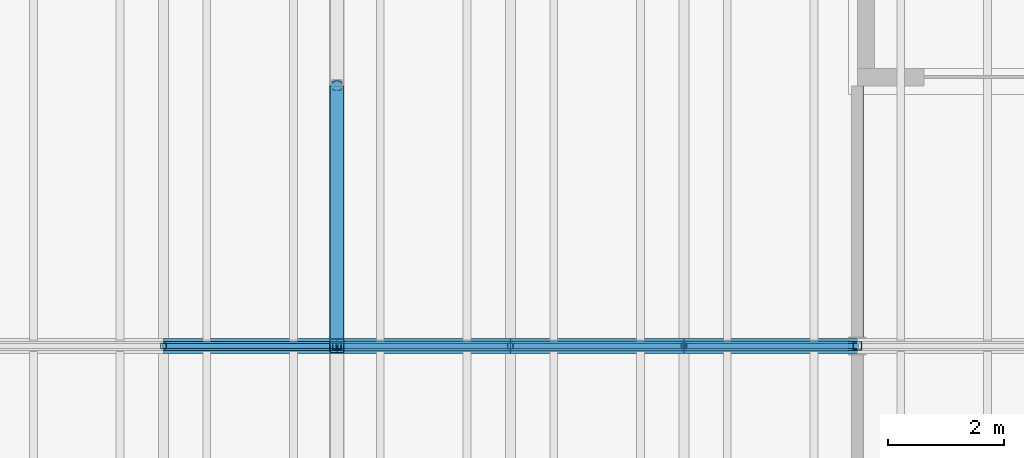
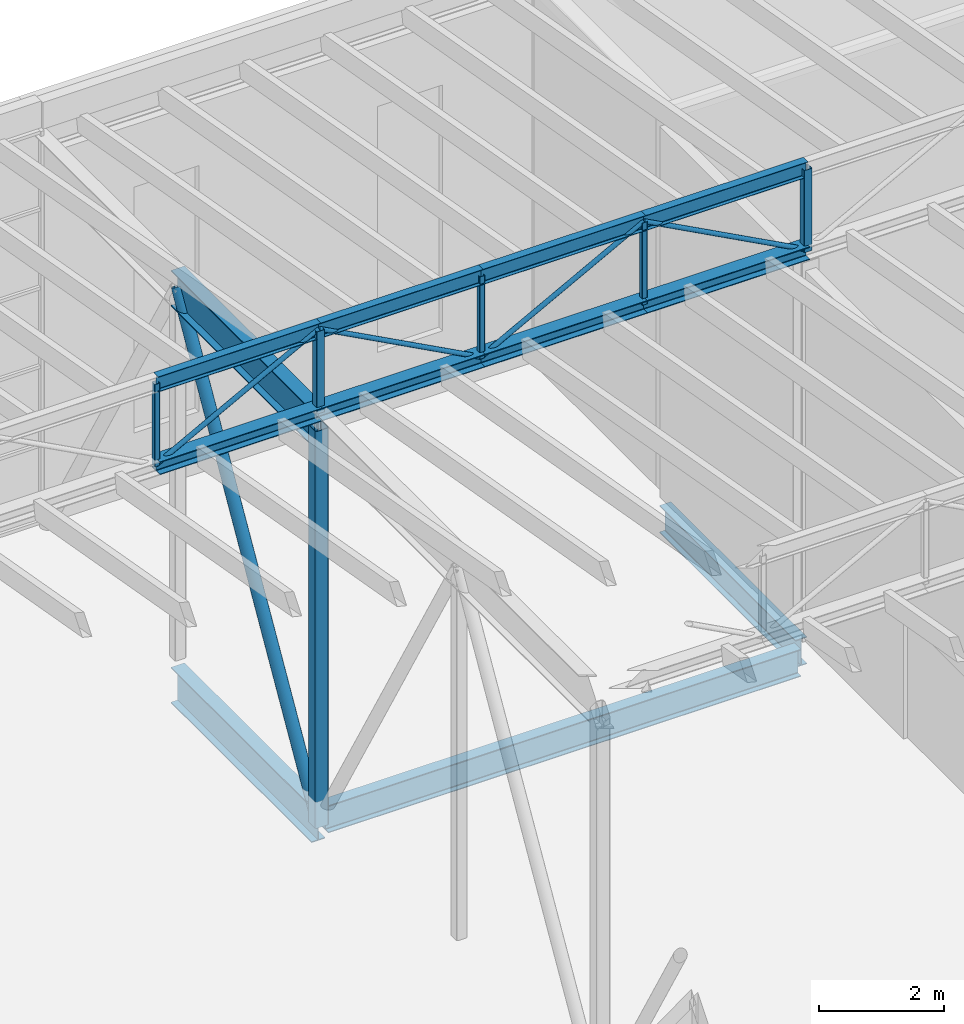
# One storey, part 44 of 90: 21 members, 2 beams.
"""IFC4 building model written with IfcOpenShell, lengths in metres."""

from ifc_helpers import new_model, si_unit, direction, frame, origin, origin_2d, place, context, subcontext, project, spatial, hollow_rectangle, hollow_circle, i_section, extrude, material, material_profile, profile_set, type_object, element, save


model = new_model("IFC4")

# Units and contexts
model_context = context("Model", 3, precision=1e-05, world=origin(), true_north=direction((0.0, 1.0)))
body_context = subcontext(model_context, "Body", "Model", "MODEL_VIEW")
ifc_project = project(units=[si_unit("LENGTHUNIT", "METRE"), si_unit("AREAUNIT", "SQUARE_METRE"), si_unit("VOLUMEUNIT", "CUBIC_METRE"), si_unit("PLANEANGLEUNIT", "RADIAN"), si_unit("MASSUNIT", "GRAM", prefix="KILO")], contexts=[model_context])

# Site, building, storey
site_placement = place(None, origin())
site = spatial("IfcSite", under=ifc_project, at=site_placement, CompositionType="ELEMENT")
building_placement = place(site_placement, origin())
building = spatial("IfcBuilding", under=site, at=building_placement, Name="Halyard Row Museum", CompositionType="ELEMENT")
storey_placement = place(building_placement, frame((0.0, 0.0, 13.39990234375)))
storey = spatial("IfcBuildingStorey", under=building, at=storey_placement, Name="L03", CompositionType="ELEMENT", Elevation=13.39990234375)

# Beams
ifc_material_1 = material(Name="Steel Grade 300", Category="steel")
ifc_material_profile_1 = material_profile(ifc_material_1, i_section(OverallWidth=0.208984375, OverallDepth=0.532958984375, WebThickness=0.01025390625, FlangeThickness=0.015625, FilletRadius=0.013916015625, at=origin_2d()), Name="530UB92.4")
ifc_profile_set_1 = profile_set([ifc_material_profile_1], Name="Steel Grade 300")
beam_type = type_object("IfcBeamType", Name="Girder beam 530UB92.4", PredefinedType="BEAM", material=ifc_profile_set_1)
beam_1_placement = place(storey_placement, frame((54.125, 36.0, -0.431396484375), z_axis=(1.0, 0.0, 0.0), x_axis=(0.0, 1.0, 0.0)))
element("IfcBeam", 1, at=beam_1_placement, inside=storey, type_object=beam_type, Name="Beam L03-030", PredefinedType="BEAM", context=body_context, shape_type="SweptSolid", body=[
    extrude(i_section(OverallWidth=0.208984375, OverallDepth=0.532958984375, WebThickness=0.01025390625, FlangeThickness=0.015625, FilletRadius=0.013916015625, at=origin_2d()), origin(), (0.0, 0.0, 1.0), 8.722412109375),
])
beam_2_placement = place(storey_placement, frame((63.0, 36.154052734375, -0.431396484375), z_axis=(0.0, 1.0, 0.0), x_axis=(-1.0, 0.0, 0.0)))
element("IfcBeam", 2, at=beam_2_placement, inside=storey, type_object=beam_type, Name="Beam L03-051", PredefinedType="BEAM", context=body_context, shape_type="SweptSolid", body=[
    extrude(i_section(OverallWidth=0.208984375, OverallDepth=0.532958984375, WebThickness=0.01025390625, FlangeThickness=0.015625, FilletRadius=0.013916015625, at=origin_2d()), origin(), (0.0, 0.0, 1.0), 4.345947265625),
])

# Members
ifc_material_2 = material(Name="Steel Grade 300", Category="steel")
ifc_material_profile_2 = material_profile(ifc_material_2, i_section(OverallWidth=0.25, OverallDepth=0.699951171875, WebThickness=0.010009765625, FlangeThickness=0.02001953125, at=origin_2d()), Name="700WB130")
ifc_profile_set_2 = profile_set([ifc_material_profile_2], Name="Steel Grade 300")
member_type_1 = type_object("IfcMemberType", Name="Transfer truss chord 700WB130 bottom", PredefinedType="CHORD", material=ifc_profile_set_2)
member_1_placement = place(storey_placement, frame((54.0, 36.0, -0.514892578125), z_axis=(0.0, 1.0, 0.0), x_axis=(-1.0, 0.0, 0.0)))
element("IfcMember", 3, at=member_1_placement, inside=storey, type_object=member_type_1, Name="TT2 bottom chord 9", PredefinedType="CHORD", context=body_context, shape_type="SweptSolid", body=[
    extrude(i_section(OverallWidth=0.25, OverallDepth=0.699951171875, WebThickness=0.010009765625, FlangeThickness=0.02001953125, at=origin_2d()), origin(), (0.0, 0.0, 1.0), 4.5),
])
ifc_material_3 = material(Name="Steel Grade 300", Category="steel")
ifc_material_profile_3 = material_profile(ifc_material_3, i_section(OverallWidth=0.25, OverallDepth=0.699951171875, WebThickness=0.010009765625, FlangeThickness=0.02001953125, at=origin_2d()), Name="700WB130")
ifc_profile_set_3 = profile_set([ifc_material_profile_3], Name="Steel Grade 300")
member_type_2 = type_object("IfcMemberType", Name="Transfer truss chord 700WB130 top", PredefinedType="CHORD", material=ifc_profile_set_3)
member_2_placement = place(storey_placement, frame((54.0, 36.0, 7.22998046875), z_axis=(0.0, 1.0, 0.0), x_axis=(-1.0, 0.0, 0.0)))
element("IfcMember", 4, at=member_2_placement, inside=storey, type_object=member_type_2, Name="TT2 top chord 9", PredefinedType="CHORD", context=body_context, shape_type="SweptSolid", body=[
    extrude(i_section(OverallWidth=0.25, OverallDepth=0.699951171875, WebThickness=0.010009765625, FlangeThickness=0.02001953125, at=origin_2d()), origin(), (0.0, 0.0, 1.0), 4.5),
])
ifc_material_4 = material(Name="Steel Grade C350L0", Category="steel")
ifc_material_profile_4 = material_profile(ifc_material_4, hollow_circle(Radius=0.109619140625, WallThickness=0.00830078125, at=origin_2d()), Name="219.1x8.2CHS")
ifc_profile_set_4 = profile_set([ifc_material_profile_4], Name="Steel Grade C350L0")
member_type_3 = type_object("IfcMemberType", Name="Transfer truss diagonal 219.1x8.2CHS", PredefinedType="BRACE", material=ifc_profile_set_4)
member_3_placement = place(storey_placement, frame((54.0, 36.0, -0.514892578125), z_axis=(0.0, 0.502384046634, 0.864644591545), x_axis=(-1.0, 0.0, 0.0)))
element("IfcMember", 5, at=member_3_placement, inside=storey, type_object=member_type_3, Name="TT2 diagonal 9", PredefinedType="BRACE", context=body_context, shape_type="SweptSolid", body=[
    extrude(hollow_circle(Radius=0.109619140625, WallThickness=0.00830078125, at=origin_2d()), origin(), (0.0, 0.0, 1.0), 8.957275390625),
])
ifc_material_5 = material(Name="Steel Grade C350L0", Category="steel")
ifc_material_profile_5 = material_profile(ifc_material_5, hollow_rectangle(XDim=0.25, YDim=0.25, WallThickness=0.012451171875, InnerFilletRadius=0.018798828125, OuterFilletRadius=0.03125, at=origin_2d()), Name="250x250x12.5SHS")
ifc_profile_set_5 = profile_set([ifc_material_profile_5], Name="Steel Grade C350L0")
member_type_4 = type_object("IfcMemberType", Name="Transfer truss post 250x250x12.5SHS", PredefinedType="POST", material=ifc_profile_set_5)
member_4_placement = place(storey_placement, frame((54.0, 36.0, -0.514892578125), z_axis=(0.0, 0.0, 1.0), x_axis=(1.0, 0.0, 0.0)))
element("IfcMember", 6, at=member_4_placement, inside=storey, type_object=member_type_4, Name="TT2 post 9", PredefinedType="POST", context=body_context, shape_type="SweptSolid", body=[
    extrude(hollow_rectangle(XDim=0.25, YDim=0.25, WallThickness=0.012451171875, InnerFilletRadius=0.018798828125, OuterFilletRadius=0.03125, at=origin_2d()), origin(), (0.0, 0.0, 1.0), 7.744873046875),
])
ifc_material_6 = material(Name="Steel Grade 300", Category="steel")
ifc_material_profile_6 = material_profile(ifc_material_6, i_section(OverallWidth=0.25390625, OverallDepth=0.25390625, WebThickness=0.008544921875, FlangeThickness=0.01416015625, FilletRadius=0.013916015625, at=origin_2d()), Name="250UC72.9")
ifc_profile_set_6 = profile_set([ifc_material_profile_6], Name="Steel Grade 300")
member_type_5 = type_object("IfcMemberType", Name="Valley truss bottom chord 250UC72.9", PredefinedType="CHORD", material=ifc_profile_set_6)
for number, where, z_axis, x_axis, name in (
    (7, (51.0, 36.0, 7.527099609375), (1.0, 0.0, 0.0), (0.0, 1.0, 0.0), "V1-VT3 bottom chord 3.3"),
    (8, (54.0, 36.0, 7.527099609375), (1.0, 0.0, 0.0), (0.0, 1.0, 0.0), "V1-VT3 bottom chord 4.1"),
    (9, (57.0, 36.0, 7.527099609375), (1.0, 0.0, 0.0), (0.0, 1.0, 0.0), "V1-VT3 bottom chord 4.2"),
    (10, (60.0, 36.0, 7.527099609375), (1.0, 0.0, 0.0), (0.0, 1.0, 0.0), "V1-VT3 bottom chord 4.3"),
):
    element("IfcMember", number, at=place(storey_placement, frame(where, z_axis=z_axis, x_axis=x_axis)), inside=storey, type_object=member_type_5, Name=name, PredefinedType="CHORD", context=body_context, shape_type="SweptSolid", body=[
        extrude(i_section(OverallWidth=0.25390625, OverallDepth=0.25390625, WebThickness=0.008544921875, FlangeThickness=0.01416015625, FilletRadius=0.013916015625, at=origin_2d()), origin(), (0.0, 0.0, 1.0), 3.0),
    ])
ifc_material_7 = material(Name="Steel Grade C250L0", Category="steel")
ifc_material_profile_7 = material_profile(ifc_material_7, hollow_circle(Radius=0.04443359375, WallThickness=0.0048828125, at=origin_2d()), Name="88.9x5.0CHS")
ifc_profile_set_7 = profile_set([ifc_material_profile_7], Name="Steel Grade C250L0")
member_type_6 = type_object("IfcMemberType", Name="Valley truss diagonal 88.9x5.0CHS", PredefinedType="BRACE", material=ifc_profile_set_7)
for number, where, z_axis, x_axis, name in (
    (11, (51.0, 36.0, 7.527099609375), (0.881863759518, 0.0, 0.471504305016), (0.0, 1.0, 0.0), "V1-VT3 diagonal 3.3"),
    (12, (54.0, 36.0, 9.131103515625), (0.881863759518, 0.0, -0.471504305016), (0.0, 1.0, 0.0), "V1-VT3 diagonal 4.1"),
    (13, (57.0, 36.0, 7.527099609375), (0.881863759518, 0.0, 0.471504305016), (0.0, 1.0, 0.0), "V1-VT3 diagonal 4.2"),
    (14, (60.0, 36.0, 9.131103515625), (0.881863759518, 0.0, -0.471504305016), (0.0, 1.0, 0.0), "V1-VT3 diagonal 4.3"),
):
    element("IfcMember", number, at=place(storey_placement, frame(where, z_axis=z_axis, x_axis=x_axis)), inside=storey, type_object=member_type_6, Name=name, PredefinedType="BRACE", context=body_context, shape_type="SweptSolid", body=[
        extrude(hollow_circle(Radius=0.04443359375, WallThickness=0.0048828125, at=origin_2d()), origin(), (0.0, 0.0, 1.0), 3.40185546875),
    ])
ifc_material_8 = material(Name="Steel Grade C350L0", Category="steel")
ifc_material_profile_8 = material_profile(ifc_material_8, hollow_rectangle(XDim=0.10009765625, YDim=0.10009765625, WallThickness=0.006103515625, InnerFilletRadius=0.009033203125, OuterFilletRadius=0.014892578125, at=origin_2d()), Name="100x100x6.0SHS")
ifc_profile_set_8 = profile_set([ifc_material_profile_8], Name="Steel Grade C350L0")
member_type_7 = type_object("IfcMemberType", Name="Valley truss post 100x100x6.0SHS", PredefinedType="POST", material=ifc_profile_set_8)
for number, where, z_axis, x_axis, name in (
    (15, (51.0, 36.0, 7.527099609375), (0.0, 0.0, 1.0), (1.0, 0.0, 0.0), "V1-VT3 post 3.2"),
    (16, (57.0, 36.0, 7.527099609375), (0.0, 0.0, 1.0), (1.0, 0.0, 0.0), "V1-VT3 post 4.1"),
    (17, (60.0, 36.0, 7.527099609375), (0.0, 0.0, 1.0), (1.0, 0.0, 0.0), "V1-VT3 post 4.2"),
):
    element("IfcMember", number, at=place(storey_placement, frame(where, z_axis=z_axis, x_axis=x_axis)), inside=storey, type_object=member_type_7, Name=name, PredefinedType="POST", context=body_context, shape_type="SweptSolid", body=[
        extrude(hollow_rectangle(XDim=0.10009765625, YDim=0.10009765625, WallThickness=0.006103515625, InnerFilletRadius=0.009033203125, OuterFilletRadius=0.014892578125, at=origin_2d()), origin(), (0.0, 0.0, 1.0), 1.60400390625),
    ])
ifc_material_9 = material(Name="Steel Grade C350L0", Category="steel")
ifc_material_profile_9 = material_profile(ifc_material_9, hollow_rectangle(XDim=0.14990234375, YDim=0.14990234375, WallThickness=0.006103515625, InnerFilletRadius=0.009033203125, OuterFilletRadius=0.014892578125, at=origin_2d()), Name="150x150x6.0SHS")
ifc_profile_set_9 = profile_set([ifc_material_profile_9], Name="Steel Grade C350L0")
member_type_8 = type_object("IfcMemberType", Name="Valley truss post 150x150x6.0SHS", PredefinedType="POST", material=ifc_profile_set_9)
for number, where, z_axis, x_axis, name in (
    (18, (54.0, 36.0, 7.527099609375), (0.0, 0.0, 1.0), (1.0, 0.0, 0.0), "V1-VT3 post 3.3"),
    (19, (63.0, 36.0, 7.527099609375), (0.0, 0.0, 1.0), (1.0, 0.0, 0.0), "V1-VT3 post 4.3"),
):
    element("IfcMember", number, at=place(storey_placement, frame(where, z_axis=z_axis, x_axis=x_axis)), inside=storey, type_object=member_type_8, Name=name, PredefinedType="POST", context=body_context, shape_type="SweptSolid", body=[
        extrude(hollow_rectangle(XDim=0.14990234375, YDim=0.14990234375, WallThickness=0.006103515625, InnerFilletRadius=0.009033203125, OuterFilletRadius=0.014892578125, at=origin_2d()), origin(), (0.0, 0.0, 1.0), 1.60400390625),
    ])
ifc_material_10 = material(Name="Steel Grade 300", Category="steel")
ifc_material_profile_10 = material_profile(ifc_material_10, i_section(OverallWidth=0.14892578125, OverallDepth=0.298095703125, WebThickness=0.005615234375, FlangeThickness=0.008056640625, FilletRadius=0.012939453125, at=origin_2d()), Name="310UB32.0")
ifc_profile_set_10 = profile_set([ifc_material_profile_10], Name="Steel Grade 300")
member_type_9 = type_object("IfcMemberType", Name="Valley truss top chord 310UB32.0", PredefinedType="CHORD", material=ifc_profile_set_10)
for number, where, z_axis, x_axis, name in (
    (20, (51.0, 36.0, 9.131103515625), (1.0, 0.0, 0.0), (0.0, 1.0, 0.0), "V1-VT3 top chord 3.3"),
    (21, (54.0, 36.0, 9.131103515625), (1.0, 0.0, 0.0), (0.0, 1.0, 0.0), "V1-VT3 top chord 4.1"),
    (22, (57.0, 36.0, 9.131103515625), (1.0, 0.0, 0.0), (0.0, 1.0, 0.0), "V1-VT3 top chord 4.2"),
    (23, (60.0, 36.0, 9.131103515625), (1.0, 0.0, 0.0), (0.0, 1.0, 0.0), "V1-VT3 top chord 4.3"),
):
    element("IfcMember", number, at=place(storey_placement, frame(where, z_axis=z_axis, x_axis=x_axis)), inside=storey, type_object=member_type_9, Name=name, PredefinedType="CHORD", context=body_context, shape_type="SweptSolid", body=[
        extrude(i_section(OverallWidth=0.14892578125, OverallDepth=0.298095703125, WebThickness=0.005615234375, FlangeThickness=0.008056640625, FilletRadius=0.012939453125, at=origin_2d()), origin(), (0.0, 0.0, 1.0), 3.0),
    ])

save(model, "model.ifc")
